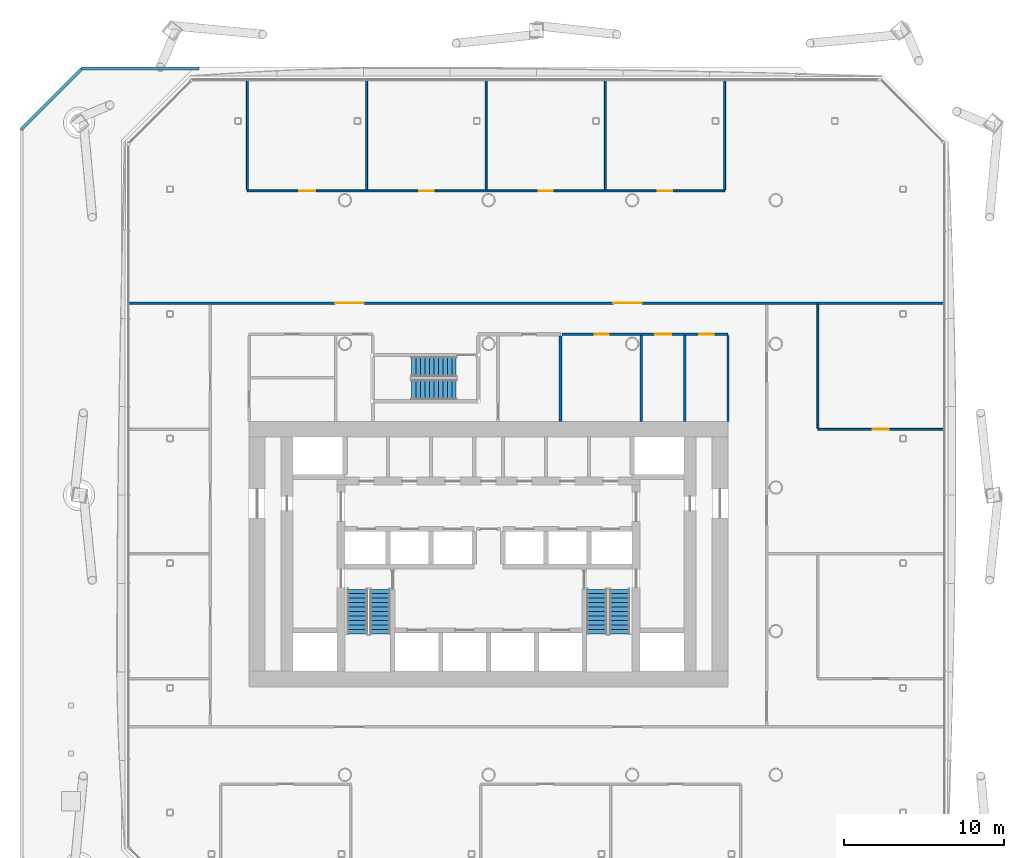
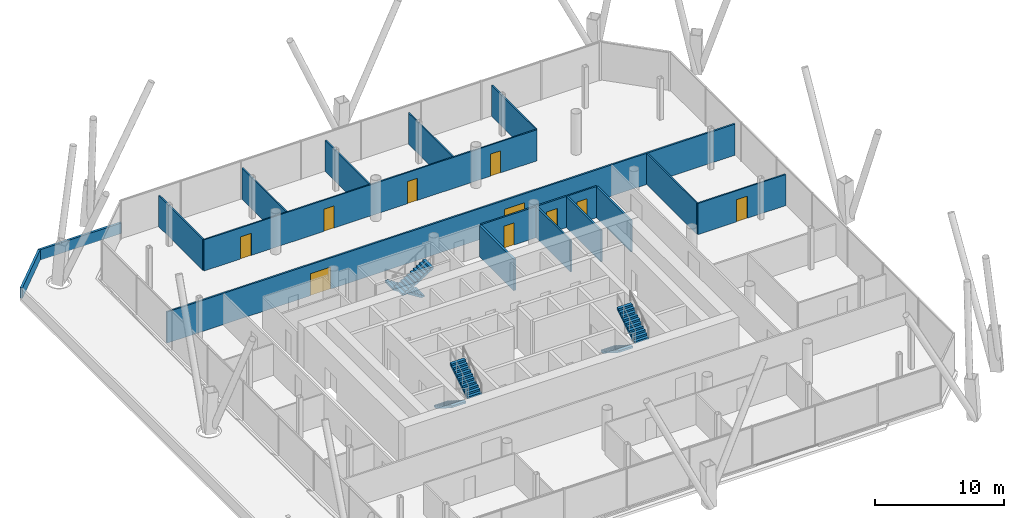
# One storey, part 16 of 23: 16 walls, 10 doors, 6 stair flights, 10 openings, 3 elements without a shape of their own.
"""IFC4 building model written with IfcOpenShell, lengths in metres."""

from ifc_helpers import new_model, si_unit, direction, frame, frame_2d, origin, place, context, subcontext, project, spatial, polyline, rectangle, outline, extrude, material, layer, layer_set, type_object, element, fill, aggregate, save


model = new_model("IFC4")

# Units and contexts
model_context = context("Model", 3, precision=1e-05, world=origin(), true_north=direction((0.0, 1.0)))
body_context = subcontext(model_context, "Body", "Model", "MODEL_VIEW")
ifc_project = project(units=[si_unit("LENGTHUNIT", "METRE"), si_unit("AREAUNIT", "SQUARE_METRE"), si_unit("VOLUMEUNIT", "CUBIC_METRE"), si_unit("PLANEANGLEUNIT", "RADIAN"), si_unit("MASSUNIT", "GRAM", prefix="KILO")], contexts=[model_context])

# Site, building, storey
site_placement = place(None, origin())
site = spatial("IfcSite", under=ifc_project, at=site_placement, CompositionType="ELEMENT")
building_placement = place(site_placement, origin())
building = spatial("IfcBuilding", under=site, at=building_placement, Name="Tskaro Facet Tower", CompositionType="ELEMENT")
storey_placement = place(building_placement, frame((0.0, 0.0, 62.10009765625)))
storey = spatial("IfcBuildingStorey", under=building, at=storey_placement, Name="L14", CompositionType="ELEMENT", Elevation=62.10009765625)

# Wall, opening, door
ifc_material_1 = material(Name="Gypsum board on steel studs", Category="steel")
ifc_layer_1 = layer(ifc_material_1, 0.125, Name="Gypsum board on steel studs")
ifc_layer_set_1 = layer_set([ifc_layer_1], Name="Gypsum board on steel studs")
wall_type_1 = type_object("IfcWallType", Name="PART", PredefinedType="PARTITIONING", material=ifc_layer_set_1)
wall_1_placement = place(storey_placement, frame((20.625, 3.64794921875, 0.0), z_axis=(0.0, 0.0, 1.0), x_axis=(1.0, 0.0, 0.0)))
wall_1 = element("IfcWall", 1, at=wall_1_placement, inside=storey, type_object=wall_type_1, Name="Partition W019", PredefinedType="PARTITIONING", context=body_context, shape_type="SweptSolid", body=[
    extrude(rectangle(XDim=7.884033203125, YDim=0.125, at=frame_2d((3.94189453125, 0.0))), origin(), (0.0, 0.0, 1.0), 2.9599609375),
])
opening_1_placement = place(wall_1_placement, frame((3.44189453125, 0.0, 0.0)))
opening_1 = element("IfcOpeningElement", 2, at=opening_1_placement, cuts=wall_1, Name="Opening T4-D29", PredefinedType="OPENING", context=body_context, shape_type="SweptSolid", body=[
    extrude(rectangle(XDim=1.0, YDim=2.10009765625, at=frame_2d((0.5, 1.050048828125))), frame((0.0, 0.072509765625, 0.0), z_axis=(0.0, -1.0, 0.0), x_axis=(1.0, 0.0, 0.0)), (0.0, 0.0, 1.0), 0.14501953125),
])
ifc_material_2 = material(Name="Timber", Category="wood")
door_type_1 = type_object("IfcDoorType", Name="D-ROOM-WIDE", OperationType="NOTDEFINED", PredefinedType="DOOR", material=ifc_material_2)
door_1_placement = place(opening_1_placement, origin())
door_1 = element("IfcDoor", 3, at=door_1_placement, inside=storey, type_object=door_type_1, Name="Door T4-D29", OperationType="SINGLE_SWING_LEFT", OverallHeight=2.10009765625, OverallWidth=1.0, PredefinedType="DOOR", context=body_context, shape_type="SweptSolid", body=[
    extrude(rectangle(XDim=1.0, YDim=2.10009765625, at=frame_2d((0.5, 1.050048828125))), frame((0.0, 0.02490234375, 0.0), z_axis=(0.0, -1.0, 0.0), x_axis=(1.0, 0.0, 0.0)), (0.0, 0.0, 1.0), 0.050048828125),
])
fill(opening_1, door_1)

# Wall, openings, doors
wall_2_placement = place(storey_placement, frame((-15.110107421875, 18.580078125, 0.0), z_axis=(0.0, 0.0, 1.0), x_axis=(1.0, 0.0, 0.0)))
wall_2 = element("IfcWall", 4, at=wall_2_placement, inside=storey, type_object=wall_type_1, Name="Partition W027", PredefinedType="PARTITIONING", context=body_context, shape_type="SweptSolid", body=[
    extrude(rectangle(XDim=29.904052734375, YDim=0.125, at=frame_2d((14.9521484375, 0.0))), origin(), (0.0, 0.0, 1.0), 2.9599609375),
])
opening_2_placement = place(wall_2_placement, frame((10.763916015625, 0.0, 0.0)))
opening_2 = element("IfcOpeningElement", 5, at=opening_2_placement, cuts=wall_2, Name="Opening T4-D43", PredefinedType="OPENING", context=body_context, shape_type="SweptSolid", body=[
    extrude(rectangle(XDim=0.89990234375, YDim=2.10009765625, at=frame_2d((0.449951171875, 1.050048828125))), frame((0.0, 0.072509765625, 0.0), z_axis=(0.0, -1.0, 0.0), x_axis=(1.0, 0.0, 0.0)), (0.0, 0.0, 1.0), 0.14501953125),
])
opening_3_placement = place(wall_2_placement, frame((3.238037109375, 0.0, 0.0)))
opening_3 = element("IfcOpeningElement", 6, at=opening_3_placement, cuts=wall_2, Name="Opening T4-D42", PredefinedType="OPENING", context=body_context, shape_type="SweptSolid", body=[
    extrude(rectangle(XDim=1.0, YDim=2.10009765625, at=frame_2d((0.5, 1.050048828125))), frame((0.0, 0.072509765625, 0.0), z_axis=(0.0, -1.0, 0.0), x_axis=(1.0, 0.0, 0.0)), (0.0, 0.0, 1.0), 0.14501953125),
])
opening_4_placement = place(wall_2_placement, frame((25.716064453125, 0.0, 0.0)))
opening_4 = element("IfcOpeningElement", 7, at=opening_4_placement, cuts=wall_2, Name="Opening T4-D45", PredefinedType="OPENING", context=body_context, shape_type="SweptSolid", body=[
    extrude(rectangle(XDim=0.89990234375, YDim=2.10009765625, at=frame_2d((0.449951171875, 1.050048828125))), frame((0.0, 0.072509765625, 0.0), z_axis=(0.0, -1.0, 0.0), x_axis=(1.0, 0.0, 0.0)), (0.0, 0.0, 1.0), 0.14501953125),
])
opening_5_placement = place(wall_2_placement, frame((18.239990234375, 0.0, 0.0)))
opening_5 = element("IfcOpeningElement", 8, at=opening_5_placement, cuts=wall_2, Name="Opening T4-D44", PredefinedType="OPENING", context=body_context, shape_type="SweptSolid", body=[
    extrude(rectangle(XDim=0.89990234375, YDim=2.10009765625, at=frame_2d((0.449951171875, 1.050048828125))), frame((0.0, 0.072509765625, 0.0), z_axis=(0.0, -1.0, 0.0), x_axis=(1.0, 0.0, 0.0)), (0.0, 0.0, 1.0), 0.14501953125),
])
door_type_2 = type_object("IfcDoorType", Name="D-ROOM", OperationType="NOTDEFINED", PredefinedType="DOOR", material=ifc_material_2)
door_2_placement = place(opening_2_placement, origin())
door_2 = element("IfcDoor", 9, at=door_2_placement, inside=storey, type_object=door_type_2, Name="Door T4-D43", OperationType="SINGLE_SWING_LEFT", OverallHeight=2.10009765625, OverallWidth=0.89990234375, PredefinedType="DOOR", context=body_context, shape_type="SweptSolid", body=[
    extrude(rectangle(XDim=0.89990234375, YDim=2.10009765625, at=frame_2d((0.449951171875, 1.050048828125))), frame((0.0, 0.02490234375, 0.0), z_axis=(0.0, -1.0, 0.0), x_axis=(1.0, 0.0, 0.0)), (0.0, 0.0, 1.0), 0.050048828125),
])
fill(opening_2, door_2)
door_3_placement = place(opening_4_placement, origin())
door_3 = element("IfcDoor", 10, at=door_3_placement, inside=storey, type_object=door_type_2, Name="Door T4-D45", OperationType="SINGLE_SWING_LEFT", OverallHeight=2.10009765625, OverallWidth=0.89990234375, PredefinedType="DOOR", context=body_context, shape_type="SweptSolid", body=[
    extrude(rectangle(XDim=0.89990234375, YDim=2.10009765625, at=frame_2d((0.449951171875, 1.050048828125))), frame((0.0, 0.02490234375, 0.0), z_axis=(0.0, -1.0, 0.0), x_axis=(1.0, 0.0, 0.0)), (0.0, 0.0, 1.0), 0.050048828125),
])
fill(opening_4, door_3)
door_4_placement = place(opening_5_placement, origin())
door_4 = element("IfcDoor", 11, at=door_4_placement, inside=storey, type_object=door_type_2, Name="Door T4-D44", OperationType="SINGLE_SWING_LEFT", OverallHeight=2.10009765625, OverallWidth=0.89990234375, PredefinedType="DOOR", context=body_context, shape_type="SweptSolid", body=[
    extrude(rectangle(XDim=0.89990234375, YDim=2.10009765625, at=frame_2d((0.449951171875, 1.050048828125))), frame((0.0, 0.02490234375, 0.0), z_axis=(0.0, -1.0, 0.0), x_axis=(1.0, 0.0, 0.0)), (0.0, 0.0, 1.0), 0.050048828125),
])
fill(opening_5, door_4)
door_5_placement = place(opening_3_placement, origin())
door_5 = element("IfcDoor", 12, at=door_5_placement, inside=storey, type_object=door_type_1, Name="Door T4-D42", OperationType="SINGLE_SWING_LEFT", OverallHeight=2.10009765625, OverallWidth=1.0, PredefinedType="DOOR", context=body_context, shape_type="SweptSolid", body=[
    extrude(rectangle(XDim=1.0, YDim=2.10009765625, at=frame_2d((0.5, 1.050048828125))), frame((0.0, 0.02490234375, 0.0), z_axis=(0.0, -1.0, 0.0), x_axis=(1.0, 0.0, 0.0)), (0.0, 0.0, 1.0), 0.050048828125),
])
fill(opening_3, door_5)

# Walls
for number, where, z_axis, x_axis, name in (
    (13, (-15.110107421875, 18.642578125, 0.0), (0.0, 0.0, 1.0), (0.0, 1.0, 0.0), "Partition W030"),
    (14, (-7.634033203125, 18.642578125, 0.0), (0.0, 0.0, 1.0), (0.0, 1.0, 0.0), "Partition W035"),
    (15, (-0.157958984375, 18.642578125, 0.0), (0.0, 0.0, 1.0), (0.0, 1.0, 0.0), "Partition W050"),
    (16, (7.318115234375, 18.642578125, 0.0), (0.0, 0.0, 1.0), (0.0, 1.0, 0.0), "Partition W062"),
    (17, (14.7939453125, 18.642578125, 0.0), (0.0, 0.0, 1.0), (0.0, 1.0, 0.0), "Partition W067"),
):
    element("IfcWall", number, at=place(storey_placement, frame(where, z_axis=z_axis, x_axis=x_axis)), inside=storey, type_object=wall_type_1, Name=name, PredefinedType="PARTITIONING", context=body_context, shape_type="SweptSolid", body=[
        extrude(rectangle(XDim=6.866455078125, YDim=0.125, at=frame_2d((3.43310546875, 0.0))), origin(), (0.0, 0.0, 1.0), 2.9599609375),
    ])
wall_3_placement = place(storey_placement, frame((20.625, 3.71044921875, 0.0), z_axis=(0.0, 0.0, 1.0), x_axis=(0.0, 1.0, 0.0)))
element("IfcWall", 18, at=wall_3_placement, inside=storey, type_object=wall_type_1, Name="Partition W072", PredefinedType="PARTITIONING", context=body_context, shape_type="SweptSolid", body=[
    extrude(rectangle(XDim=7.76953125, YDim=0.125, at=frame_2d((3.884765625, 0.0))), origin(), (0.0, 0.0, 1.0), 2.9599609375),
])

# Wall, openings, doors
ifc_layer_2 = layer(ifc_material_1, 0.14990234375, Name="Gypsum board on steel studs")
ifc_layer_set_2 = layer_set([ifc_layer_2], Name="Gypsum board on steel studs")
wall_type_2 = type_object("IfcWallType", Name="PART-CORR", PredefinedType="PARTITIONING", material=ifc_layer_set_2)
wall_4_placement = place(storey_placement, frame((15.0, 9.60498046875, 0.0), z_axis=(0.0, 0.0, 1.0), x_axis=(-1.0, 0.0, 0.0)))
wall_4 = element("IfcWall", 19, at=wall_4_placement, inside=storey, type_object=wall_type_2, Name="Corridor wall W025", PredefinedType="PARTITIONING", context=body_context, shape_type="SweptSolid", body=[
    extrude(rectangle(XDim=10.39990234375, YDim=0.14990234375, at=frame_2d((5.199951171875, 0.0))), origin(), (0.0, 0.0, 1.0), 2.9599609375),
])
opening_6_placement = place(wall_4_placement, frame((0.89990234375, 0.0, 0.0)))
opening_6 = element("IfcOpeningElement", 20, at=opening_6_placement, cuts=wall_4, Name="Opening T4-D39", PredefinedType="OPENING", context=body_context, shape_type="SweptSolid", body=[
    extrude(rectangle(XDim=0.89990234375, YDim=2.10009765625, at=frame_2d((0.449951171875, 1.050048828125))), frame((0.0, 0.0849609375, 0.0), z_axis=(0.0, -1.0, 0.0), x_axis=(1.0, 0.0, 0.0)), (0.0, 0.0, 1.0), 0.169921875),
])
opening_7_placement = place(wall_4_placement, frame((7.46240234375, 0.0, 0.0)))
opening_7 = element("IfcOpeningElement", 21, at=opening_7_placement, cuts=wall_4, Name="Opening T4-D37", PredefinedType="OPENING", context=body_context, shape_type="SweptSolid", body=[
    extrude(rectangle(XDim=0.89990234375, YDim=2.10009765625, at=frame_2d((0.449951171875, 1.050048828125))), frame((0.0, 0.0849609375, 0.0), z_axis=(0.0, -1.0, 0.0), x_axis=(1.0, 0.0, 0.0)), (0.0, 0.0, 1.0), 0.169921875),
])
opening_8_placement = place(wall_4_placement, frame((3.5625, 0.0, 0.0)))
opening_8 = element("IfcOpeningElement", 22, at=opening_8_placement, cuts=wall_4, Name="Opening T4-D38", PredefinedType="OPENING", context=body_context, shape_type="SweptSolid", body=[
    extrude(rectangle(XDim=1.0, YDim=2.10009765625, at=frame_2d((0.5, 1.050048828125))), frame((0.0, 0.0849609375, 0.0), z_axis=(0.0, -1.0, 0.0), x_axis=(1.0, 0.0, 0.0)), (0.0, 0.0, 1.0), 0.169921875),
])
door_6_placement = place(opening_6_placement, origin())
door_6 = element("IfcDoor", 23, at=door_6_placement, inside=storey, type_object=door_type_2, Name="Door T4-D39", OperationType="SINGLE_SWING_RIGHT", OverallHeight=2.10009765625, OverallWidth=0.89990234375, PredefinedType="DOOR", context=body_context, shape_type="SweptSolid", body=[
    extrude(rectangle(XDim=0.89990234375, YDim=2.10009765625, at=frame_2d((0.449951171875, 1.050048828125))), frame((0.0, 0.02490234375, 0.0), z_axis=(0.0, -1.0, 0.0), x_axis=(1.0, 0.0, 0.0)), (0.0, 0.0, 1.0), 0.050048828125),
])
fill(opening_6, door_6)
door_7_placement = place(opening_7_placement, origin())
door_7 = element("IfcDoor", 24, at=door_7_placement, inside=storey, type_object=door_type_2, Name="Door T4-D37", OperationType="SINGLE_SWING_RIGHT", OverallHeight=2.10009765625, OverallWidth=0.89990234375, PredefinedType="DOOR", context=body_context, shape_type="SweptSolid", body=[
    extrude(rectangle(XDim=0.89990234375, YDim=2.10009765625, at=frame_2d((0.449951171875, 1.050048828125))), frame((0.0, 0.02490234375, 0.0), z_axis=(0.0, -1.0, 0.0), x_axis=(1.0, 0.0, 0.0)), (0.0, 0.0, 1.0), 0.050048828125),
])
fill(opening_7, door_7)
door_8_placement = place(opening_8_placement, origin())
door_8 = element("IfcDoor", 25, at=door_8_placement, inside=storey, type_object=door_type_1, Name="Door T4-D38", OperationType="SINGLE_SWING_RIGHT", OverallHeight=2.10009765625, OverallWidth=1.0, PredefinedType="DOOR", context=body_context, shape_type="SweptSolid", body=[
    extrude(rectangle(XDim=1.0, YDim=2.10009765625, at=frame_2d((0.5, 1.050048828125))), frame((0.0, 0.02490234375, 0.0), z_axis=(0.0, -1.0, 0.0), x_axis=(1.0, 0.0, 0.0)), (0.0, 0.0, 1.0), 0.050048828125),
])
fill(opening_8, door_8)

wall_5_placement = place(storey_placement, frame((28.509033203125, 11.554931640625, 0.0), z_axis=(0.0, 0.0, 1.0), x_axis=(-1.0, 0.0, 0.0)))
wall_5 = element("IfcWall", 26, at=wall_5_placement, inside=storey, type_object=wall_type_2, Name="Corridor wall W026", PredefinedType="PARTITIONING", context=body_context, shape_type="SweptSolid", body=[
    extrude(rectangle(XDim=51.01806640625, YDim=0.14990234375, at=frame_2d((25.509033203125, 0.0))), origin(), (0.0, 0.0, 1.0), 2.9599609375),
])
opening_9_placement = place(wall_5_placement, frame((36.322021484375, 0.0, 0.0)))
opening_9 = element("IfcOpeningElement", 27, at=opening_9_placement, cuts=wall_5, Name="Opening T4-D40", PredefinedType="OPENING", context=body_context, shape_type="SweptSolid", body=[
    extrude(rectangle(XDim=1.800048828125, YDim=2.10009765625, at=frame_2d((0.89990234375, 1.050048828125))), frame((0.0, 0.0849609375, 0.0), z_axis=(0.0, -1.0, 0.0), x_axis=(1.0, 0.0, 0.0)), (0.0, 0.0, 1.0), 0.169921875),
])
opening_10_placement = place(wall_5_placement, frame((18.89599609375, 0.0, 0.0)))
opening_10 = element("IfcOpeningElement", 28, at=opening_10_placement, cuts=wall_5, Name="Opening T4-D41", PredefinedType="OPENING", context=body_context, shape_type="SweptSolid", body=[
    extrude(rectangle(XDim=1.800048828125, YDim=2.10009765625, at=frame_2d((0.89990234375, 1.050048828125))), frame((0.0, 0.0849609375, 0.0), z_axis=(0.0, -1.0, 0.0), x_axis=(1.0, 0.0, 0.0)), (0.0, 0.0, 1.0), 0.169921875),
])
ifc_material_3 = material(Name="Glass", Category="glass")
door_type_3 = type_object("IfcDoorType", Name="D-ENTRY-PAIR", OperationType="NOTDEFINED", PredefinedType="DOOR", material=ifc_material_3)
door_9_placement = place(opening_9_placement, origin())
door_9 = element("IfcDoor", 29, at=door_9_placement, inside=storey, type_object=door_type_3, Name="Door T4-D40", OperationType="DOUBLE_DOOR_SINGLE_SWING", OverallHeight=2.10009765625, OverallWidth=1.800048828125, PredefinedType="DOOR", context=body_context, shape_type="SweptSolid", body=[
    extrude(rectangle(XDim=1.800048828125, YDim=2.10009765625, at=frame_2d((0.89990234375, 1.050048828125))), frame((0.0, 0.02490234375, 0.0), z_axis=(0.0, -1.0, 0.0), x_axis=(1.0, 0.0, 0.0)), (0.0, 0.0, 1.0), 0.050048828125),
])
fill(opening_9, door_9)
door_10_placement = place(opening_10_placement, origin())
door_10 = element("IfcDoor", 30, at=door_10_placement, inside=storey, type_object=door_type_3, Name="Door T4-D41", OperationType="DOUBLE_DOOR_SINGLE_SWING", OverallHeight=2.10009765625, OverallWidth=1.800048828125, PredefinedType="DOOR", context=body_context, shape_type="SweptSolid", body=[
    extrude(rectangle(XDim=1.800048828125, YDim=2.10009765625, at=frame_2d((0.89990234375, 1.050048828125))), frame((0.0, 0.02490234375, 0.0), z_axis=(0.0, -1.0, 0.0), x_axis=(1.0, 0.0, 0.0)), (0.0, 0.0, 1.0), 0.050048828125),
])
fill(opening_10, door_10)

# Walls
for number, where, z_axis, x_axis, name in (
    (31, (9.574951171875, 4.14990234375, 0.0), (0.0, 0.0, 1.0), (0.0, 1.0, 0.0), "Corridor wall W065"),
    (32, (12.300048828125, 4.14990234375, 0.0), (0.0, 0.0, 1.0), (0.0, 1.0, 0.0), "Corridor wall W066"),
    (33, (15.0, 4.14990234375, 0.0), (0.0, 0.0, 1.0), (0.0, 1.0, 0.0), "Corridor wall W068"),
):
    element("IfcWall", number, at=place(storey_placement, frame(where, z_axis=z_axis, x_axis=x_axis)), inside=storey, type_object=wall_type_2, Name=name, PredefinedType="PARTITIONING", context=body_context, shape_type="SweptSolid", body=[
        extrude(rectangle(XDim=5.380126953125, YDim=0.14990234375, at=frame_2d((2.68994140625, 0.0))), origin(), (0.0, 0.0, 1.0), 2.9599609375),
    ])
ifc_material_4 = material(Name="Precast concrete C40/50", Category="concrete")
ifc_layer_3 = layer(ifc_material_4, 0.199951171875, Name="Precast concrete C40/50")
ifc_layer_set_3 = layer_set([ifc_layer_3], Name="Precast concrete C40/50")
wall_type_3 = type_object("IfcWallType", Name="Roof parapet", PredefinedType="PARAPET", material=ifc_layer_set_3)
wall_6_placement = place(storey_placement, frame((-18.1298828125, 26.257080078125, 0.0), z_axis=(0.0, 0.0, 1.0), x_axis=(-1.0, 0.0, 0.0)))
element("IfcWall", 34, at=wall_6_placement, inside=storey, type_object=wall_type_3, Name="Roof parapet L14 1.1", PredefinedType="PARAPET", context=body_context, shape_type="SweptSolid", body=[
    extrude(rectangle(XDim=7.379150390625, YDim=0.199951171875, at=frame_2d((3.689453125, 0.0))), origin(), (0.0, 0.0, 1.0), 1.0),
])
wall_7_placement = place(storey_placement, frame((-25.509033203125, 26.215576171875, 0.0), z_axis=(0.0, 0.0, 1.0), x_axis=(-0.707106781187, -0.707106781187, 0.0)))
element("IfcWall", 35, at=wall_7_placement, inside=storey, type_object=wall_type_3, Name="Roof parapet L14 1.2", PredefinedType="PARAPET", context=body_context, shape_type="SweptSolid", body=[
    extrude(rectangle(XDim=5.342041015625, YDim=0.199951171875, at=frame_2d((2.6708984375, 0.0))), origin(), (0.0, 0.0, 1.0), 1.0),
])
ifc_material_5 = material(Name="Concrete C20/25", Category="concrete")
ifc_layer_4 = layer(ifc_material_5, 0.199951171875, Name="Concrete C20/25")
ifc_layer_set_4 = layer_set([ifc_layer_4], Name="Concrete C20/25")
wall_type_4 = type_object("IfcWallType", Name="WALL-RISER", PredefinedType="SOLIDWALL", material=ifc_layer_set_4)
wall_8_placement = place(storey_placement, frame((4.5, 4.14990234375, 0.0), z_axis=(0.0, 0.0, 1.0), x_axis=(0.0, 1.0, 0.0)))
element("IfcWall", 36, at=wall_8_placement, inside=storey, type_object=wall_type_4, Name="Riser room wall W058", PredefinedType="SOLIDWALL", context=body_context, shape_type="SweptSolid", body=[
    extrude(rectangle(XDim=5.35498046875, YDim=0.199951171875, at=frame_2d((2.677490234375, 0.0))), origin(), (0.0, 0.0, 1.0), 2.9599609375),
])

# Stair, stair flights
ifc_material_6 = material(Name="Concrete C40/50", Category="concrete")
stair_type = type_object("IfcStairType", Name="ST-TWR", PredefinedType="HALF_TURN_STAIR", material=ifc_material_6)
stair_1_placement = place(storey_placement, origin())
stair_1 = element("IfcStair", 37, at=stair_1_placement, inside=storey, type_object=stair_type, Name="L14 Exit stair 1", PredefinedType="HALF_TURN_STAIR")
stair_flight_type = type_object("IfcStairFlightType", Name="SFL-RC", PredefinedType="STRAIGHT", material=ifc_material_6)
stair_flight_1_placement = place(storey_placement, frame((-8.21240234375, -6.375, 0.0), z_axis=(0.0, 0.0, 1.0), x_axis=(0.0, -1.0, 0.0)))
stair_flight_1 = element("IfcStairFlight", 38, at=stair_flight_1_placement, type_object=stair_flight_type, Name="ST-1 flight 1", NumberOfRisers=11, NumberOfTreads=10, PredefinedType="STRAIGHT", RiserHeight=0.177272727, TreadLength=0.28, context=body_context, shape_type="SweptSolid", body=[
    extrude(outline(polyline([(0.0, 0.0), (0.0, 0.17724609375), (0.280029296875, 0.17724609375), (0.280029296875, 0.3544921875), (0.56005859375, 0.3544921875), (0.56005859375, 0.53173828125), (0.840087890625, 0.53173828125), (0.840087890625, 0.708984375), (1.1201171875, 0.708984375), (1.1201171875, 0.886474609375), (1.39990234375, 0.886474609375), (1.39990234375, 1.063720703125), (1.679931640625, 1.063720703125), (1.679931640625, 1.240966796875), (1.9599609375, 1.240966796875), (1.9599609375, 1.418212890625), (2.239990234375, 1.418212890625), (2.239990234375, 1.595458984375), (2.52001953125, 1.595458984375), (2.52001953125, 1.772705078125), (2.800048828125, 1.772705078125), (2.800048828125, 1.949951171875), (2.800048828125, 1.59521484375), (0.2802734375, 0.0), (0.0, 0.0)])), frame((0.0, 0.637451171875, 0.0), z_axis=(0.0, -1.0, 0.0), x_axis=(1.0, 0.0, 0.0)), (0.0, 0.0, 1.0), 1.27490234375),
])
stair_flight_2_placement = place(storey_placement, frame((-6.78759765625, -9.175048828125, 1.949951171875), z_axis=(0.0, 0.0, 1.0), x_axis=(0.0, 1.0, 0.0)))
stair_flight_2 = element("IfcStairFlight", 39, at=stair_flight_2_placement, type_object=stair_flight_type, Name="ST-1 flight 2", NumberOfRisers=11, NumberOfTreads=10, PredefinedType="STRAIGHT", RiserHeight=0.177272727, TreadLength=0.28, context=body_context, shape_type="SweptSolid", body=[
    extrude(outline(polyline([(0.0, 0.0), (0.0, 0.17724609375), (0.280029296875, 0.17724609375), (0.280029296875, 0.3544921875), (0.56005859375, 0.3544921875), (0.56005859375, 0.53173828125), (0.840087890625, 0.53173828125), (0.840087890625, 0.708984375), (1.1201171875, 0.708984375), (1.1201171875, 0.886474609375), (1.39990234375, 0.886474609375), (1.39990234375, 1.063720703125), (1.679931640625, 1.063720703125), (1.679931640625, 1.240966796875), (1.9599609375, 1.240966796875), (1.9599609375, 1.418212890625), (2.239990234375, 1.418212890625), (2.239990234375, 1.595458984375), (2.52001953125, 1.595458984375), (2.52001953125, 1.772705078125), (2.800048828125, 1.772705078125), (2.800048828125, 1.949951171875), (2.800048828125, 1.59521484375), (0.2802734375, 0.0), (0.0, 0.0)])), frame((0.0, 0.637451171875, 0.0), z_axis=(0.0, -1.0, 0.0), x_axis=(1.0, 0.0, 0.0)), (0.0, 0.0, 1.0), 1.27490234375),
])
aggregate(stair_1, [stair_flight_1, stair_flight_2])

stair_2_placement = place(storey_placement, origin())
stair_2 = element("IfcStair", 40, at=stair_2_placement, inside=storey, type_object=stair_type, Name="L14 Exit stair 2", PredefinedType="HALF_TURN_STAIR")
stair_flight_3_placement = place(storey_placement, frame((6.78759765625, -6.375, 0.0), z_axis=(0.0, 0.0, 1.0), x_axis=(0.0, -1.0, 0.0)))
stair_flight_3 = element("IfcStairFlight", 41, at=stair_flight_3_placement, type_object=stair_flight_type, Name="ST-2 flight 1", NumberOfRisers=11, NumberOfTreads=10, PredefinedType="STRAIGHT", RiserHeight=0.177272727, TreadLength=0.28, context=body_context, shape_type="SweptSolid", body=[
    extrude(outline(polyline([(0.0, 0.0), (0.0, 0.17724609375), (0.280029296875, 0.17724609375), (0.280029296875, 0.3544921875), (0.56005859375, 0.3544921875), (0.56005859375, 0.53173828125), (0.840087890625, 0.53173828125), (0.840087890625, 0.708984375), (1.1201171875, 0.708984375), (1.1201171875, 0.886474609375), (1.39990234375, 0.886474609375), (1.39990234375, 1.063720703125), (1.679931640625, 1.063720703125), (1.679931640625, 1.240966796875), (1.9599609375, 1.240966796875), (1.9599609375, 1.418212890625), (2.239990234375, 1.418212890625), (2.239990234375, 1.595458984375), (2.52001953125, 1.595458984375), (2.52001953125, 1.772705078125), (2.800048828125, 1.772705078125), (2.800048828125, 1.949951171875), (2.800048828125, 1.59521484375), (0.2802734375, 0.0), (0.0, 0.0)])), frame((0.0, 0.637451171875, 0.0), z_axis=(0.0, -1.0, 0.0), x_axis=(1.0, 0.0, 0.0)), (0.0, 0.0, 1.0), 1.27490234375),
])
stair_flight_4_placement = place(storey_placement, frame((8.21240234375, -9.175048828125, 1.949951171875), z_axis=(0.0, 0.0, 1.0), x_axis=(0.0, 1.0, 0.0)))
stair_flight_4 = element("IfcStairFlight", 42, at=stair_flight_4_placement, type_object=stair_flight_type, Name="ST-2 flight 2", NumberOfRisers=11, NumberOfTreads=10, PredefinedType="STRAIGHT", RiserHeight=0.177272727, TreadLength=0.28, context=body_context, shape_type="SweptSolid", body=[
    extrude(outline(polyline([(0.0, 0.0), (0.0, 0.17724609375), (0.280029296875, 0.17724609375), (0.280029296875, 0.3544921875), (0.56005859375, 0.3544921875), (0.56005859375, 0.53173828125), (0.840087890625, 0.53173828125), (0.840087890625, 0.708984375), (1.1201171875, 0.708984375), (1.1201171875, 0.886474609375), (1.39990234375, 0.886474609375), (1.39990234375, 1.063720703125), (1.679931640625, 1.063720703125), (1.679931640625, 1.240966796875), (1.9599609375, 1.240966796875), (1.9599609375, 1.418212890625), (2.239990234375, 1.418212890625), (2.239990234375, 1.595458984375), (2.52001953125, 1.595458984375), (2.52001953125, 1.772705078125), (2.800048828125, 1.772705078125), (2.800048828125, 1.949951171875), (2.800048828125, 1.59521484375), (0.2802734375, 0.0), (0.0, 0.0)])), frame((0.0, 0.637451171875, 0.0), z_axis=(0.0, -1.0, 0.0), x_axis=(1.0, 0.0, 0.0)), (0.0, 0.0, 1.0), 1.27490234375),
])
aggregate(stair_2, [stair_flight_3, stair_flight_4])

stair_3_placement = place(storey_placement, origin())
stair_3 = element("IfcStair", 43, at=stair_3_placement, inside=storey, type_object=stair_type, Name="L14 Exit stair 3", PredefinedType="HALF_TURN_STAIR")
stair_flight_5_placement = place(storey_placement, frame((-2.02490234375, 7.5625, 0.0), z_axis=(0.0, 0.0, 1.0), x_axis=(-1.0, 0.0, 0.0)))
stair_flight_5 = element("IfcStairFlight", 44, at=stair_flight_5_placement, type_object=stair_flight_type, Name="ST-3 flight 1", NumberOfRisers=11, NumberOfTreads=10, PredefinedType="STRAIGHT", RiserHeight=0.177272727, TreadLength=0.28, context=body_context, shape_type="SweptSolid", body=[
    extrude(outline(polyline([(0.0, 0.0), (0.0, 0.17724609375), (0.280029296875, 0.17724609375), (0.280029296875, 0.3544921875), (0.56005859375, 0.3544921875), (0.56005859375, 0.53173828125), (0.840087890625, 0.53173828125), (0.840087890625, 0.708984375), (1.1201171875, 0.708984375), (1.1201171875, 0.886474609375), (1.39990234375, 0.886474609375), (1.39990234375, 1.063720703125), (1.679931640625, 1.063720703125), (1.679931640625, 1.240966796875), (1.9599609375, 1.240966796875), (1.9599609375, 1.418212890625), (2.239990234375, 1.418212890625), (2.239990234375, 1.595458984375), (2.52001953125, 1.595458984375), (2.52001953125, 1.772705078125), (2.800048828125, 1.772705078125), (2.800048828125, 1.949951171875), (2.800048828125, 1.59521484375), (0.2802734375, 0.0), (0.0, 0.0)])), frame((0.0, 0.637451171875, 0.0), z_axis=(0.0, -1.0, 0.0), x_axis=(1.0, 0.0, 0.0)), (0.0, 0.0, 1.0), 1.27490234375),
])
stair_flight_6_placement = place(storey_placement, frame((-4.824951171875, 6.137451171875, 1.949951171875), z_axis=(0.0, 0.0, 1.0), x_axis=(1.0, 0.0, 0.0)))
stair_flight_6 = element("IfcStairFlight", 45, at=stair_flight_6_placement, type_object=stair_flight_type, Name="ST-3 flight 2", NumberOfRisers=11, NumberOfTreads=10, PredefinedType="STRAIGHT", RiserHeight=0.177272727, TreadLength=0.28, context=body_context, shape_type="SweptSolid", body=[
    extrude(outline(polyline([(0.0, 0.0), (0.0, 0.17724609375), (0.280029296875, 0.17724609375), (0.280029296875, 0.3544921875), (0.56005859375, 0.3544921875), (0.56005859375, 0.53173828125), (0.840087890625, 0.53173828125), (0.840087890625, 0.708984375), (1.1201171875, 0.708984375), (1.1201171875, 0.886474609375), (1.39990234375, 0.886474609375), (1.39990234375, 1.063720703125), (1.679931640625, 1.063720703125), (1.679931640625, 1.240966796875), (1.9599609375, 1.240966796875), (1.9599609375, 1.418212890625), (2.239990234375, 1.418212890625), (2.239990234375, 1.595458984375), (2.52001953125, 1.595458984375), (2.52001953125, 1.772705078125), (2.800048828125, 1.772705078125), (2.800048828125, 1.949951171875), (2.800048828125, 1.59521484375), (0.2802734375, 0.0), (0.0, 0.0)])), frame((0.0, 0.637451171875, 0.0), z_axis=(0.0, -1.0, 0.0), x_axis=(1.0, 0.0, 0.0)), (0.0, 0.0, 1.0), 1.27490234375),
])
aggregate(stair_3, [stair_flight_5, stair_flight_6])

save(model, "model.ifc")
